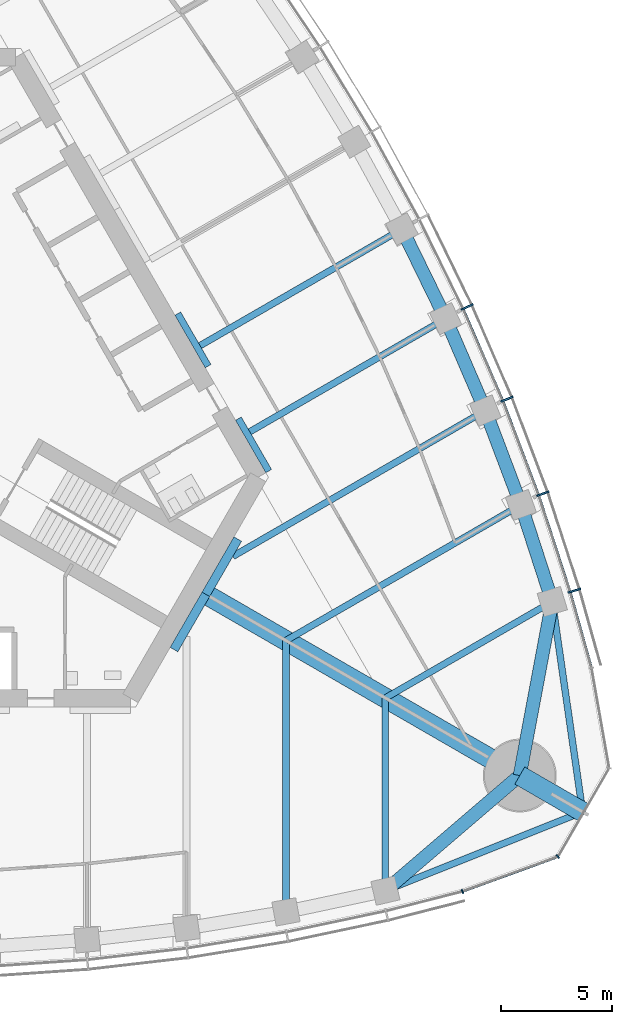
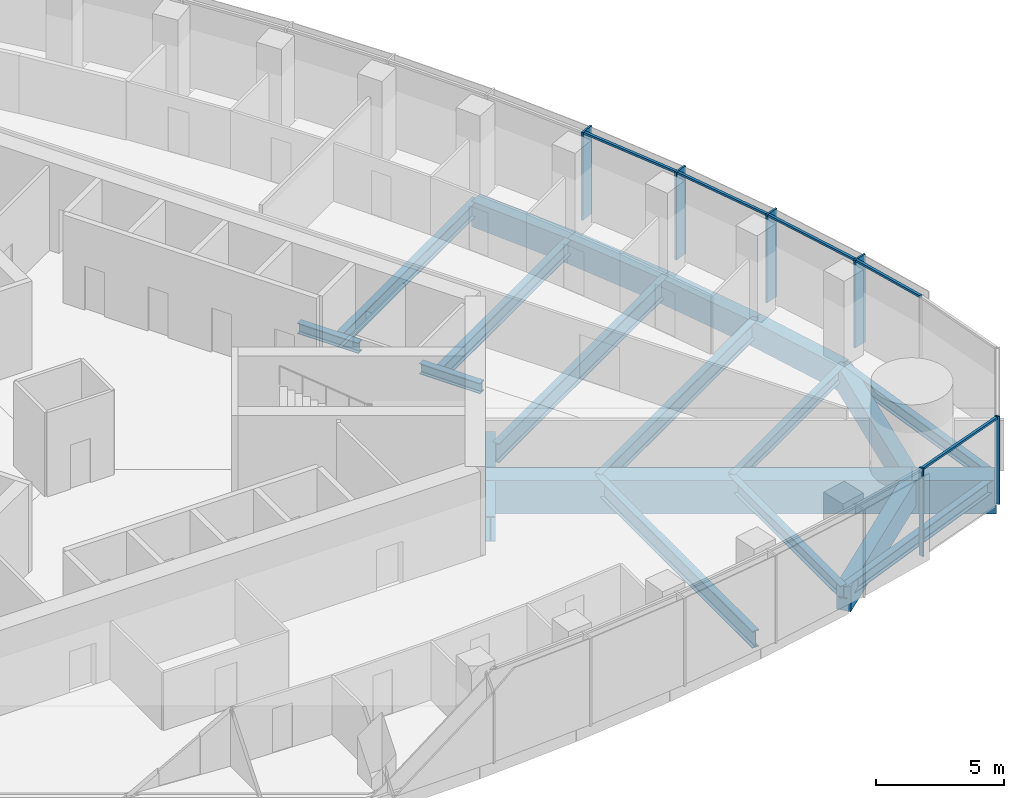
# One storey, part 4 of 20: 21 beams, 11 members, 2 elements without a shape of their own.
"""IFC4 building model written with IfcOpenShell, lengths in metres."""

from ifc_helpers import new_model, si_unit, direction, frame, origin, origin_2d, place, context, subcontext, project, spatial, rectangle, i_section, extrude, material, material_profile, profile_set, type_object, element, aggregate, save


model = new_model("IFC4")

# Units and contexts
model_context = context("Model", 3, precision=1e-05, world=origin(), true_north=direction((0.0, 1.0)))
body_context = subcontext(model_context, "Body", "Model", "MODEL_VIEW")
ifc_project = project(units=[si_unit("LENGTHUNIT", "METRE"), si_unit("AREAUNIT", "SQUARE_METRE"), si_unit("VOLUMEUNIT", "CUBIC_METRE"), si_unit("PLANEANGLEUNIT", "RADIAN"), si_unit("MASSUNIT", "GRAM", prefix="KILO")], contexts=[model_context])

# Site, building, storey
site_placement = place(None, origin())
site = spatial("IfcSite", under=ifc_project, at=site_placement, CompositionType="ELEMENT")
building_placement = place(site_placement, origin())
building = spatial("IfcBuilding", under=site, at=building_placement, Name="Trefoil Bronze Tower", CompositionType="ELEMENT")
storey_placement = place(building_placement, frame((0.0, 0.0, 210.699951171875)))
storey = spatial("IfcBuildingStorey", under=building, at=storey_placement, Name="L48", CompositionType="ELEMENT", Elevation=210.699951171875)

# Curtain wall, members
ifc_material_1 = material(Name="Tinted solar-control glass", Category="glass")
curtain_wall_type_1 = type_object("IfcCurtainWallType", Name="Bronze office curtain wall", PredefinedType="USERDEFINED", material=ifc_material_1)
curtain_wall_1_placement = place(storey_placement, origin())
curtain_wall_1 = element("IfcCurtainWall", 1, at=curtain_wall_1_placement, inside=storey, type_object=curtain_wall_type_1, Name="CW-A L48 F2", ObjectType="CURTAIN WALL", PredefinedType="USERDEFINED")
ifc_material_2 = material(Name="Bronze-finish aluminium", Category="aluminium")
ifc_material_profile_1 = material_profile(ifc_material_2, rectangle(XDim=0.60009765625, YDim=0.080078125, at=origin_2d()), Name="CW-A mullion")
ifc_profile_set_1 = profile_set([ifc_material_profile_1], Name="Bronze-finish aluminium")
member_type_1 = type_object("IfcMemberType", Name="Bronze office curtain wall mullion", PredefinedType="MULLION", material=ifc_profile_set_1)
member_1_placement = place(storey_placement, frame((31.05029296875, -8.132568359375, 0.0), z_axis=(0.0, 0.0, 1.0), x_axis=(-0.95694224323, -0.290278389002, 0.0)))
member_1 = element("IfcMember", 2, at=member_1_placement, type_object=member_type_1, Name="CW-A L48 F2 mullion 2", PredefinedType="MULLION", context=body_context, shape_type="SweptSolid", body=[
    extrude(rectangle(XDim=0.60009765625, YDim=0.080078125, at=origin_2d()), origin(), (0.0, 0.0, 1.0), 4.179931640625),
])
member_2_placement = place(storey_placement, frame((29.619873046875, -3.747314453125, 0.0), z_axis=(0.0, 0.0, 1.0), x_axis=(-0.943180077746, -0.332282020191, 0.0)))
member_2 = element("IfcMember", 3, at=member_2_placement, type_object=member_type_1, Name="CW-A L48 F2 mullion 3", PredefinedType="MULLION", context=body_context, shape_type="SweptSolid", body=[
    extrude(rectangle(XDim=0.60009765625, YDim=0.080078125, at=origin_2d()), origin(), (0.0, 0.0, 1.0), 4.179931640625),
])
member_3_placement = place(storey_placement, frame((27.999755859375, 0.529541015625, 0.0), z_axis=(0.0, 0.0, 1.0), x_axis=(-0.926689348282, -0.375828221106, 0.0)))
member_3 = element("IfcMember", 4, at=member_3_placement, type_object=member_type_1, Name="CW-A L48 F2 mullion 4", PredefinedType="MULLION", context=body_context, shape_type="SweptSolid", body=[
    extrude(rectangle(XDim=0.60009765625, YDim=0.080078125, at=origin_2d()), origin(), (0.0, 0.0, 1.0), 4.179931640625),
])
member_4_placement = place(storey_placement, frame((26.19482421875, 4.699462890625, 0.0), z_axis=(0.0, 0.0, 1.0), x_axis=(-0.908315380354, -0.418285990457, 0.0)))
member_4 = element("IfcMember", 5, at=member_4_placement, type_object=member_type_1, Name="CW-A L48 F2 mullion 5", PredefinedType="MULLION", context=body_context, shape_type="SweptSolid", body=[
    extrude(rectangle(XDim=0.60009765625, YDim=0.080078125, at=origin_2d()), origin(), (0.0, 0.0, 1.0), 4.179931640625),
])
ifc_material_3 = material(Name="Bronze-finish aluminium", Category="aluminium")
ifc_material_profile_2 = material_profile(ifc_material_3, rectangle(XDim=0.1201171875, YDim=0.10009765625, at=origin_2d()), Name="CW-A transom")
ifc_profile_set_2 = profile_set([ifc_material_profile_2], Name="Bronze-finish aluminium")
member_type_2 = type_object("IfcMemberType", Name="Bronze office curtain wall transom", PredefinedType="USERDEFINED", material=ifc_profile_set_2)
member_5_placement = place(storey_placement, frame((31.81201171875, -11.585205078125, 4.130126953125), z_axis=(-0.270284880437, 0.962780392097, 0.0), x_axis=(-0.962780392097, -0.270284880437, 0.0)))
member_5 = element("IfcMember", 6, at=member_5_placement, type_object=member_type_2, Name="CW-A L48 F2 transom 1", ObjectType="TRANSOM", PredefinedType="USERDEFINED", context=body_context, shape_type="SweptSolid", body=[
    extrude(rectangle(XDim=0.1201171875, YDim=0.10009765625, at=origin_2d()), origin(), (0.0, 0.0, 1.0), 3.48388671875),
])
member_6_placement = place(storey_placement, frame((30.845947265625, -8.150634765625, 4.130126953125), z_axis=(-0.310127806788, 0.950694874004, 0.0), x_axis=(-0.950694874004, -0.310127806788, 0.0)))
member_6 = element("IfcMember", 7, at=member_6_placement, type_object=member_type_2, Name="CW-A L48 F2 transom 2", ObjectType="TRANSOM", PredefinedType="USERDEFINED", context=body_context, shape_type="SweptSolid", body=[
    extrude(rectangle(XDim=0.1201171875, YDim=0.10009765625, at=origin_2d()), origin(), (0.0, 0.0, 1.0), 4.51953125),
])
member_7_placement = place(storey_placement, frame((29.416259765625, -3.774169921875, 4.130126953125), z_axis=(-0.354263170896, 0.935145767112, 0.0), x_axis=(-0.935145767112, -0.354263170896, 0.0)))
member_7 = element("IfcMember", 8, at=member_7_placement, type_object=member_type_2, Name="CW-A L48 F2 transom 3", ObjectType="TRANSOM", PredefinedType="USERDEFINED", context=body_context, shape_type="SweptSolid", body=[
    extrude(rectangle(XDim=0.1201171875, YDim=0.10009765625, at=origin_2d()), origin(), (0.0, 0.0, 1.0), 4.4794921875),
])
member_8_placement = place(storey_placement, frame((27.797607421875, 0.4931640625, 4.130126953125), z_axis=(-0.397220936772, 0.917723012346, 0.0), x_axis=(-0.917723012346, -0.397220936772, 0.0)))
member_8 = element("IfcMember", 9, at=member_8_placement, type_object=member_type_2, Name="CW-A L48 F2 transom 4", ObjectType="TRANSOM", PredefinedType="USERDEFINED", context=body_context, shape_type="SweptSolid", body=[
    extrude(rectangle(XDim=0.1201171875, YDim=0.10009765625, at=origin_2d()), origin(), (0.0, 0.0, 1.0), 4.449951171875),
])
aggregate(curtain_wall_1, [member_1, member_2, member_3, member_4, member_5, member_6, member_7, member_8])

ifc_material_4 = material(Name="Tinted solar-control glass", Category="glass")
curtain_wall_type_2 = type_object("IfcCurtainWallType", Name="Bronze rounded corner curtain wall", PredefinedType="USERDEFINED", material=ifc_material_4)
curtain_wall_2_placement = place(storey_placement, origin())
curtain_wall_2 = element("IfcCurtainWall", 10, at=curtain_wall_2_placement, inside=storey, type_object=curtain_wall_type_2, Name="CW-B L48 K1", ObjectType="CURTAIN WALL", PredefinedType="USERDEFINED")
ifc_material_5 = material(Name="Bronze-finish aluminium", Category="aluminium")
ifc_material_profile_3 = material_profile(ifc_material_5, rectangle(XDim=0.199951171875, YDim=0.06005859375, at=origin_2d()), Name="CW-B mullion")
ifc_profile_set_3 = profile_set([ifc_material_profile_3], Name="Bronze-finish aluminium")
member_type_3 = type_object("IfcMemberType", Name="Bronze rounded corner curtain wall mullion", PredefinedType="MULLION", material=ifc_profile_set_3)
member_9_placement = place(storey_placement, frame((25.9873046875, -21.74462890625, 0.0), z_axis=(0.0, 0.0, 1.0), x_axis=(-0.342020143326, 0.939692620786, 0.0)))
member_9 = element("IfcMember", 11, at=member_9_placement, type_object=member_type_3, Name="CW-B L48 K1 mullion 1", PredefinedType="MULLION", context=body_context, shape_type="SweptSolid", body=[
    extrude(rectangle(XDim=0.199951171875, YDim=0.06005859375, at=origin_2d()), origin(), (0.0, 0.0, 1.0), 4.179931640625),
])
member_10_placement = place(storey_placement, frame((30.302490234375, -20.16748046875, 0.0), z_axis=(0.0, 0.0, 1.0), x_axis=(-0.642787609687, 0.766044443119, 0.0)))
member_10 = element("IfcMember", 12, at=member_10_placement, type_object=member_type_3, Name="CW-B L48 K1 mullion 2", PredefinedType="MULLION", context=body_context, shape_type="SweptSolid", body=[
    extrude(rectangle(XDim=0.199951171875, YDim=0.06005859375, at=origin_2d()), origin(), (0.0, 0.0, 1.0), 4.179931640625),
])
ifc_material_6 = material(Name="Bronze-finish aluminium", Category="aluminium")
ifc_material_profile_4 = material_profile(ifc_material_6, rectangle(XDim=0.1201171875, YDim=0.10009765625, at=origin_2d()), Name="CW-B transom")
ifc_profile_set_4 = profile_set([ifc_material_profile_4], Name="Bronze-finish aluminium")
member_type_4 = type_object("IfcMemberType", Name="Bronze rounded corner curtain wall transom", PredefinedType="USERDEFINED", material=ifc_profile_set_4)
member_11_placement = place(storey_placement, frame((26.015380859375, -21.734375, 4.130126953125), z_axis=(0.939680910753, 0.342052314664, 0.0), x_axis=(-0.342052314664, 0.939680910753, 0.0)))
member_11 = element("IfcMember", 13, at=member_11_placement, type_object=member_type_4, Name="CW-B L48 K1 transom 1", ObjectType="TRANSOM", PredefinedType="USERDEFINED", context=body_context, shape_type="SweptSolid", body=[
    extrude(rectangle(XDim=0.1201171875, YDim=0.10009765625, at=origin_2d()), origin(), (0.0, 0.0, 1.0), 4.500244140625),
])
aggregate(curtain_wall_2, [member_9, member_10, member_11])

# Beams
ifc_material_7 = material(Name="Steel C355", Category="steel")
ifc_material_profile_5 = material_profile(ifc_material_7, i_section(OverallWidth=0.300048828125, OverallDepth=0.5, WebThickness=0.014404296875, FlangeThickness=0.028076171875, FilletRadius=0.027099609375, at=origin_2d()), Name="HEB 500")
ifc_profile_set_5 = profile_set([ifc_material_profile_5], Name="Steel C355")
beam_type_1 = type_object("IfcBeamType", Name="Core seat beam HEB 500", PredefinedType="BEAM", material=ifc_profile_set_5)
for number, where, z_axis, x_axis, name in (
    (14, (17.219482421875, -2.72509765625, -0.449951171875), (-0.500035825175, 0.866004719122, 0.0), (-0.866004719122, -0.500035825175, 0.0), "Core seat beam F2/-2 L48"),
    (15, (14.47705078125, 2.02490234375, -0.449951171875), (-0.499969057507, 0.866043267704, 0.0), (-0.866043267704, -0.499969057507, 0.0), "Core seat beam F2/-1 L48"),
):
    element("IfcBeam", number, at=place(storey_placement, frame(where, z_axis=z_axis, x_axis=x_axis)), inside=storey, type_object=beam_type_1, Name=name, PredefinedType="BEAM", context=body_context, shape_type="SweptSolid", body=[
        extrude(i_section(OverallWidth=0.300048828125, OverallDepth=0.5, WebThickness=0.014404296875, FlangeThickness=0.028076171875, FilletRadius=0.027099609375, at=origin_2d()), origin(), (0.0, 0.0, 1.0), 2.742431640625),
    ])
ifc_material_8 = material(Name="Steel C355", Category="steel")
ifc_material_profile_6 = material_profile(ifc_material_8, i_section(OverallWidth=0.39990234375, OverallDepth=1.199951171875, WebThickness=0.02001953125, FlangeThickness=0.0400390625, FilletRadius=0.010009765625, at=origin_2d()), Name="WPG 1200")
ifc_profile_set_6 = profile_set([ifc_material_profile_6], Name="Steel C355")
beam_type_2 = type_object("IfcBeamType", Name="Core seat beam WPG 1200", PredefinedType="BEAM", material=ifc_profile_set_6)
for number, where, z_axis, x_axis, name in (
    (16, (12.9326171875, -10.800048828125, -0.800048828125), (0.499995765644, 0.866027848477, 0.0), (-0.866027848477, 0.499995765644, 0.0), "Core seat beam F1/+3 L48"),
    (17, (14.3759765625, -8.300048828125, -0.800048828125), (0.499995765644, 0.866027848477, 0.0), (-0.866027848477, 0.499995765644, 0.0), "Core seat beam F2/-3 L48"),
):
    element("IfcBeam", number, at=place(storey_placement, frame(where, z_axis=z_axis, x_axis=x_axis)), inside=storey, type_object=beam_type_2, Name=name, PredefinedType="BEAM", context=body_context, shape_type="SweptSolid", body=[
        extrude(i_section(OverallWidth=0.39990234375, OverallDepth=1.199951171875, WebThickness=0.02001953125, FlangeThickness=0.0400390625, FilletRadius=0.010009765625, at=origin_2d()), origin(), (0.0, 0.0, 1.0), 2.88671875),
    ])
ifc_material_9 = material(Name="Concrete B80", Category="concrete")
ifc_material_profile_7 = material_profile(ifc_material_9, rectangle(XDim=0.89990234375, YDim=1.60009765625, at=origin_2d()), Name="RC 900x1600")
ifc_profile_set_7 = profile_set([ifc_material_profile_7], Name="Concrete B80")
beam_type_3 = type_object("IfcBeamType", Name="Corner cantilever RC 900x1600", PredefinedType="BEAM", material=ifc_profile_set_7)
beam_1_placement = place(storey_placement, frame((28.578857421875, -16.5, -1.0), z_axis=(0.866016004958, -0.500016278891, 0.0), x_axis=(0.500016278891, 0.866016004958, 0.0)))
element("IfcBeam", 18, at=beam_1_placement, inside=storey, type_object=beam_type_3, Name="Corner cantilever K1 L48", PredefinedType="BEAM", context=body_context, shape_type="SweptSolid", body=[
    extrude(rectangle(XDim=0.89990234375, YDim=1.60009765625, at=origin_2d()), origin(), (0.0, 0.0, 1.0), 3.28466796875),
])
ifc_material_10 = material(Name="Steel C355", Category="steel")
ifc_material_profile_8 = material_profile(ifc_material_10, i_section(OverallWidth=0.300048828125, OverallDepth=0.60009765625, WebThickness=0.015380859375, FlangeThickness=0.030029296875, FilletRadius=0.027099609375, at=origin_2d()), Name="HEB 600")
ifc_profile_set_8 = profile_set([ifc_material_profile_8], Name="Steel C355")
beam_type_4 = type_object("IfcBeamType", Name="Corner edge beam HEB 600", PredefinedType="BEAM", material=ifc_profile_set_8)
for number, where, z_axis, x_axis, name in (
    (19, (22.5, -21.71044921875, -0.5), (0.92852048463, 0.371281173266, 0.0), (-0.371281173266, 0.92852048463, 0.0), "Corner edge beam F1A L48"),
    (20, (30.052001953125, -8.63037109375, -0.5), (0.142694489722, -0.989766781925, 0.0), (0.989766781925, 0.142694489722, 0.0), "Corner edge beam F2B L48"),
):
    element("IfcBeam", number, at=place(storey_placement, frame(where, z_axis=z_axis, x_axis=x_axis)), inside=storey, type_object=beam_type_4, Name=name, PredefinedType="BEAM", context=body_context, shape_type="SweptSolid", body=[
        extrude(i_section(OverallWidth=0.300048828125, OverallDepth=0.60009765625, WebThickness=0.015380859375, FlangeThickness=0.030029296875, FilletRadius=0.027099609375, at=origin_2d()), origin(), (0.0, 0.0, 1.0), 9.6103515625),
    ])
ifc_material_11 = material(Name="Concrete B80", Category="concrete")
ifc_material_profile_9 = material_profile(ifc_material_11, rectangle(XDim=0.89990234375, YDim=1.60009765625, at=origin_2d()), Name="RC 900x1600")
ifc_profile_set_9 = profile_set([ifc_material_profile_9], Name="Concrete B80")
beam_type_5 = type_object("IfcBeamType", Name="Corner girder RC 900x1600", PredefinedType="BEAM", material=ifc_profile_set_9)
beam_2_placement = place(storey_placement, frame((14.202880859375, -8.199951171875, -1.0), z_axis=(0.866023450265, -0.500003383579, 0.0), x_axis=(0.500003383579, 0.866023450265, 0.0)))
element("IfcBeam", 21, at=beam_2_placement, inside=storey, type_object=beam_type_5, Name="Corner girder K1 L48", PredefinedType="BEAM", context=body_context, shape_type="SweptSolid", body=[
    extrude(rectangle(XDim=0.89990234375, YDim=1.60009765625, at=origin_2d()), origin(), (0.0, 0.0, 1.0), 16.60009765625),
])
ifc_material_12 = material(Name="Concrete B80", Category="concrete")
ifc_material_profile_10 = material_profile(ifc_material_12, rectangle(XDim=0.60009765625, YDim=1.199951171875, at=origin_2d()), Name="RC 600x1200")
ifc_profile_set_10 = profile_set([ifc_material_profile_10], Name="Concrete B80")
beam_type_6 = type_object("IfcBeamType", Name="End spandrel beam RC 600x1200", PredefinedType="SPANDREL", material=ifc_profile_set_10)
for number, where, z_axis, x_axis, name in (
    (22, (22.5, -21.71044921875, -0.800048828125), (0.759256602365, 0.650791373456, 0.0), (-0.650791373456, 0.759256602365, 0.0), "Spandrel F1.12 L48"),
    (23, (28.578857421875, -16.5, -0.800048828125), (0.18399763073, 0.982926686933, 0.0), (-0.982926686933, 0.18399763073, 0.0), "Spandrel F2.1 L48"),
):
    element("IfcBeam", number, at=place(storey_placement, frame(where, z_axis=z_axis, x_axis=x_axis)), inside=storey, type_object=beam_type_6, Name=name, PredefinedType="SPANDREL", context=body_context, shape_type="SweptSolid", body=[
        extrude(rectangle(XDim=0.60009765625, YDim=1.199951171875, at=origin_2d()), origin(), (0.0, 0.0, 1.0), 8.00634765625),
    ])
ifc_material_13 = material(Name="Steel C355", Category="steel")
ifc_material_profile_11 = material_profile(ifc_material_13, i_section(OverallWidth=0.300048828125, OverallDepth=0.590087890625, WebThickness=0.012939453125, FlangeThickness=0.02490234375, FilletRadius=0.027099609375, at=origin_2d()), Name="HEA 600")
ifc_profile_set_11 = profile_set([ifc_material_profile_11], Name="Steel C355")
beam_type_7 = type_object("IfcBeamType", Name="Floor beam HEA 600", PredefinedType="BEAM", material=ifc_profile_set_11)
beam_3_placement = place(storey_placement, frame((22.5, -21.71044921875, -0.494873046875), z_axis=(0.0, 1.0, 0.0), x_axis=(-1.0, 0.0, 0.0)))
element("IfcBeam", 24, at=beam_3_placement, inside=storey, type_object=beam_type_7, Name="Floor beam F1/+5 L48", PredefinedType="BEAM", context=body_context, shape_type="SweptSolid", body=[
    extrude(i_section(OverallWidth=0.300048828125, OverallDepth=0.590087890625, WebThickness=0.012939453125, FlangeThickness=0.02490234375, FilletRadius=0.027099609375, at=origin_2d()), origin(), (0.0, 0.0, 1.0), 8.719970703125),
])
beam_4_placement = place(storey_placement, frame((30.052001953125, -8.63037109375, -0.494873046875), z_axis=(-0.866027535932, -0.499996306993, 0.0), x_axis=(0.499996306993, -0.866027535932, 0.0)))
element("IfcBeam", 25, at=beam_4_placement, inside=storey, type_object=beam_type_7, Name="Floor beam F2/-5 L48", PredefinedType="BEAM", context=body_context, shape_type="SweptSolid", body=[
    extrude(i_section(OverallWidth=0.300048828125, OverallDepth=0.590087890625, WebThickness=0.012939453125, FlangeThickness=0.02490234375, FilletRadius=0.027099609375, at=origin_2d()), origin(), (0.0, 0.0, 1.0), 8.72021484375),
])
ifc_material_14 = material(Name="Steel C355", Category="steel")
ifc_material_profile_12 = material_profile(ifc_material_14, i_section(OverallWidth=0.300048828125, OverallDepth=0.699951171875, WebThickness=0.01708984375, FlangeThickness=0.031982421875, FilletRadius=0.027099609375, at=origin_2d()), Name="HEB 700")
ifc_profile_set_12 = profile_set([ifc_material_profile_12], Name="Steel C355")
beam_type_8 = type_object("IfcBeamType", Name="Floor beam HEB 700", PredefinedType="BEAM", material=ifc_profile_set_12)
beam_5_placement = place(storey_placement, frame((25.2265625, 4.17236328125, -0.550048828125), z_axis=(-0.866017525653, -0.500013645076, 0.0), x_axis=(0.500013645076, -0.866017525653, 0.0)))
element("IfcBeam", 26, at=beam_5_placement, inside=storey, type_object=beam_type_8, Name="Floor beam F2/-2 L48", PredefinedType="BEAM", context=body_context, shape_type="SweptSolid", body=[
    extrude(i_section(OverallWidth=0.300048828125, OverallDepth=0.699951171875, WebThickness=0.01708984375, FlangeThickness=0.031982421875, FilletRadius=0.027099609375, at=origin_2d()), origin(), (0.0, 0.0, 1.0), 10.233154296875),
])
beam_6_placement = place(storey_placement, frame((23.248046875, 8.22607421875, -0.550048828125), z_axis=(-0.866027918957, -0.499995643569, 0.0), x_axis=(0.499995643569, -0.866027918957, 0.0)))
element("IfcBeam", 27, at=beam_6_placement, inside=storey, type_object=beam_type_8, Name="Floor beam F2/-1 L48", PredefinedType="BEAM", context=body_context, shape_type="SweptSolid", body=[
    extrude(i_section(OverallWidth=0.300048828125, OverallDepth=0.699951171875, WebThickness=0.01708984375, FlangeThickness=0.031982421875, FilletRadius=0.027099609375, at=origin_2d()), origin(), (0.0, 0.0, 1.0), 10.54638671875),
])
ifc_material_15 = material(Name="Steel C355", Category="steel")
ifc_material_profile_13 = material_profile(ifc_material_15, i_section(OverallWidth=0.300048828125, OverallDepth=0.800048828125, WebThickness=0.017578125, FlangeThickness=0.032958984375, FilletRadius=0.030029296875, at=origin_2d()), Name="HEB 800")
ifc_profile_set_13 = profile_set([ifc_material_profile_13], Name="Steel C355")
beam_type_9 = type_object("IfcBeamType", Name="Floor beam HEB 800", PredefinedType="BEAM", material=ifc_profile_set_13)
beam_7_placement = place(storey_placement, frame((18.0, -22.6689453125, -0.599853515625), z_axis=(0.0, 1.0, 0.0), x_axis=(-1.0, 0.0, 0.0)))
element("IfcBeam", 28, at=beam_7_placement, inside=storey, type_object=beam_type_9, Name="Floor beam F1/+4 L48", PredefinedType="BEAM", context=body_context, shape_type="SweptSolid", body=[
    extrude(i_section(OverallWidth=0.300048828125, OverallDepth=0.800048828125, WebThickness=0.017578125, FlangeThickness=0.032958984375, FilletRadius=0.030029296875, at=origin_2d()), origin(), (0.0, 0.0, 1.0), 12.276611328125),
])
beam_8_placement = place(storey_placement, frame((28.632080078125, -4.25390625, -0.599853515625), z_axis=(-0.866025635187, -0.499999599199, 0.0), x_axis=(0.499999599199, -0.866025635187, 0.0)))
element("IfcBeam", 29, at=beam_8_placement, inside=storey, type_object=beam_type_9, Name="Floor beam F2/-4 L48", PredefinedType="BEAM", context=body_context, shape_type="SweptSolid", body=[
    extrude(i_section(OverallWidth=0.300048828125, OverallDepth=0.800048828125, WebThickness=0.017578125, FlangeThickness=0.032958984375, FilletRadius=0.030029296875, at=origin_2d()), origin(), (0.0, 0.0, 1.0), 12.27685546875),
])
ifc_material_16 = material(Name="Steel C355", Category="steel")
ifc_material_profile_14 = material_profile(ifc_material_16, i_section(OverallWidth=0.300048828125, OverallDepth=0.89990234375, WebThickness=0.0185546875, FlangeThickness=0.034912109375, FilletRadius=0.030029296875, at=origin_2d()), Name="HEB 900")
ifc_profile_set_14 = profile_set([ifc_material_profile_14], Name="Steel C355")
beam_type_10 = type_object("IfcBeamType", Name="Floor beam HEB 900", PredefinedType="BEAM", material=ifc_profile_set_14)
beam_9_placement = place(storey_placement, frame((27.022216796875, 0.012939453125, -0.64990234375), z_axis=(-0.866020385251, -0.500008692254, 0.0), x_axis=(0.500008692254, -0.866020385251, 0.0)))
element("IfcBeam", 30, at=beam_9_placement, inside=storey, type_object=beam_type_10, Name="Floor beam F2/-3 L48", PredefinedType="BEAM", context=body_context, shape_type="SweptSolid", body=[
    extrude(i_section(OverallWidth=0.300048828125, OverallDepth=0.89990234375, WebThickness=0.0185546875, FlangeThickness=0.034912109375, FilletRadius=0.030029296875, at=origin_2d()), origin(), (0.0, 0.0, 1.0), 13.191162109375),
])
ifc_material_17 = material(Name="Concrete B80", Category="concrete")
ifc_material_profile_15 = material_profile(ifc_material_17, rectangle(XDim=0.60009765625, YDim=1.199951171875, at=origin_2d()), Name="RC 600x1200")
ifc_profile_set_15 = profile_set([ifc_material_profile_15], Name="Concrete B80")
beam_type_11 = type_object("IfcBeamType", Name="Spandrel beam RC 600x1200", PredefinedType="SPANDREL", material=ifc_profile_set_15)
beam_10_placement = place(storey_placement, frame((30.052001953125, -8.63037109375, -0.800048828125), z_axis=(-0.308608505504, 0.951189145402, 0.0), x_axis=(-0.951189145402, -0.308608505504, 0.0)))
element("IfcBeam", 31, at=beam_10_placement, inside=storey, type_object=beam_type_11, Name="Spandrel F2.2 L48", PredefinedType="SPANDREL", context=body_context, shape_type="SweptSolid", body=[
    extrude(rectangle(XDim=0.60009765625, YDim=1.199951171875, at=origin_2d()), origin(), (0.0, 0.0, 1.0), 4.60107421875),
])
beam_11_placement = place(storey_placement, frame((28.632080078125, -4.25390625, -0.800048828125), z_axis=(-0.353005969632, 0.935621069346, 0.0), x_axis=(-0.935621069346, -0.353005969632, 0.0)))
element("IfcBeam", 32, at=beam_11_placement, inside=storey, type_object=beam_type_11, Name="Spandrel F2.3 L48", PredefinedType="SPANDREL", context=body_context, shape_type="SweptSolid", body=[
    extrude(rectangle(XDim=0.60009765625, YDim=1.199951171875, at=origin_2d()), origin(), (0.0, 0.0, 1.0), 4.560546875),
])
beam_12_placement = place(storey_placement, frame((27.022216796875, 0.012939453125, -0.800048828125), z_axis=(-0.396350337164, 0.918099346602, 0.0), x_axis=(-0.918099346602, -0.396350337164, 0.0)))
element("IfcBeam", 33, at=beam_12_placement, inside=storey, type_object=beam_type_11, Name="Spandrel F2.4 L48", PredefinedType="SPANDREL", context=body_context, shape_type="SweptSolid", body=[
    extrude(rectangle(XDim=0.60009765625, YDim=1.199951171875, at=origin_2d()), origin(), (0.0, 0.0, 1.0), 4.530517578125),
])
beam_13_placement = place(storey_placement, frame((25.2265625, 4.17236328125, -0.800048828125), z_axis=(-0.438619830351, 0.898672712629, 0.0), x_axis=(-0.898672712629, -0.438619830351, 0.0)))
element("IfcBeam", 34, at=beam_13_placement, inside=storey, type_object=beam_type_11, Name="Spandrel F2.5 L48", PredefinedType="SPANDREL", context=body_context, shape_type="SweptSolid", body=[
    extrude(rectangle(XDim=0.60009765625, YDim=1.199951171875, at=origin_2d()), origin(), (0.0, 0.0, 1.0), 4.5107421875),
])

save(model, "model.ifc")
